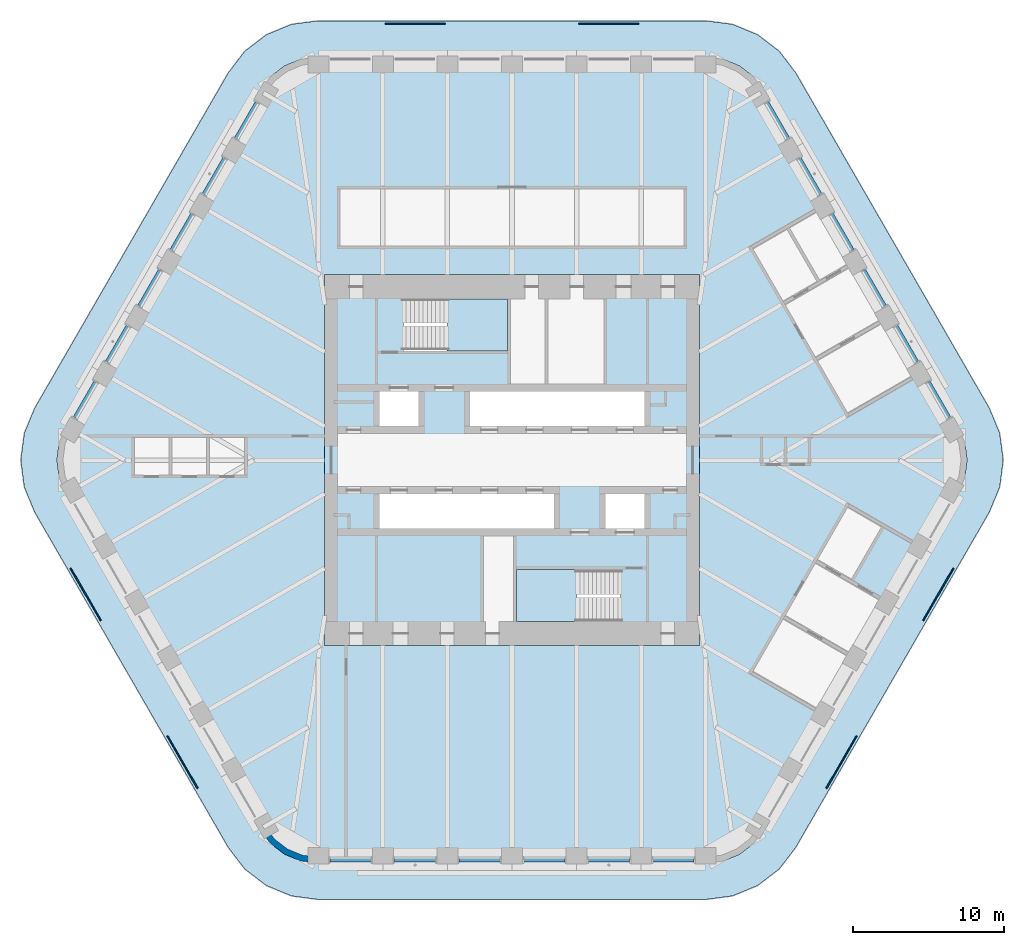
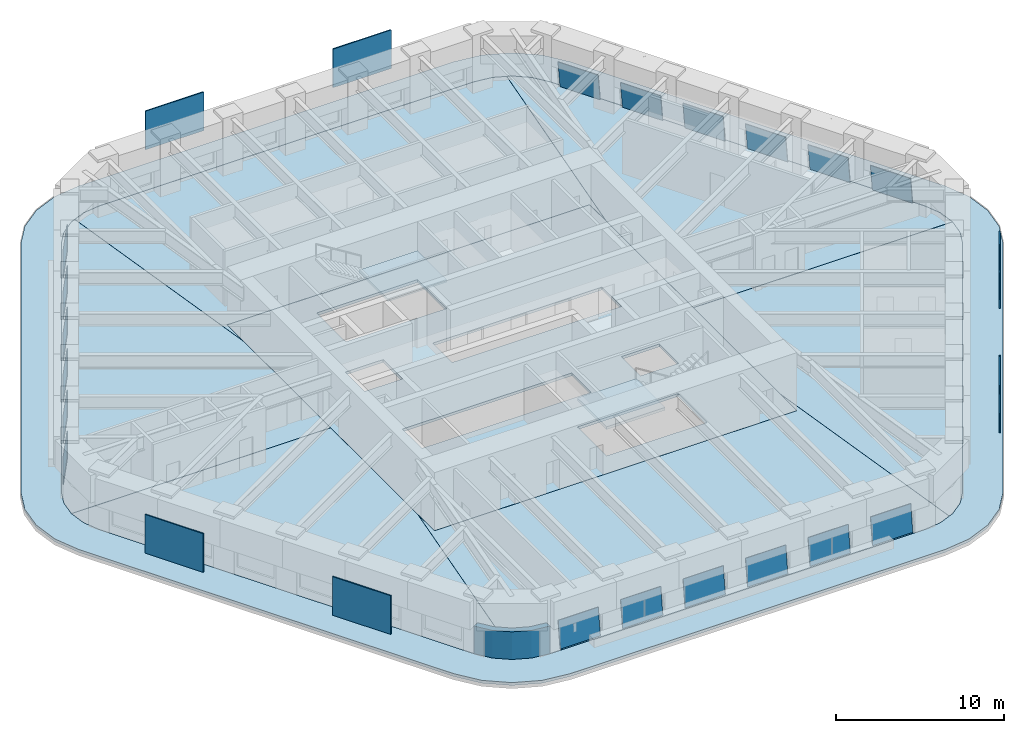
# One storey, part 12 of 18: 24 plates, 10 slabs, 1 wall, 20 elements without a shape of their own.
"""IFC4 building model written with IfcOpenShell, lengths in metres."""

from ifc_helpers import new_model, si_unit, direction, frame, origin, origin_2d, place, context, subcontext, project, spatial, polyline, rectangle, outline, extrude, material, layer, layer_set, type_object, element, aggregate, save


model = new_model("IFC4")

# Units and contexts
model_context = context("Model", 3, precision=1e-05, world=origin(), true_north=direction((0.0, 1.0)))
body_context = subcontext(model_context, "Body", "Model", "MODEL_VIEW")
ifc_project = project(units=[si_unit("LENGTHUNIT", "METRE"), si_unit("AREAUNIT", "SQUARE_METRE"), si_unit("VOLUMEUNIT", "CUBIC_METRE"), si_unit("PLANEANGLEUNIT", "RADIAN"), si_unit("MASSUNIT", "GRAM", prefix="KILO")], contexts=[model_context])

# Site, building, storey
site_placement = place(None, origin())
site = spatial("IfcSite", under=ifc_project, at=site_placement, CompositionType="ELEMENT")
building_placement = place(site_placement, origin())
building = spatial("IfcBuilding", under=site, at=building_placement, Name="Tarfa Lantern Tower", CompositionType="ELEMENT")
storey_placement = place(building_placement, frame((0.0, 0.0, 319.89990234375)))
storey = spatial("IfcBuildingStorey", under=building, at=storey_placement, Name="L72", CompositionType="ELEMENT", Elevation=319.89990234375)

# Slab
ifc_material_1 = material(Name="Concrete C40/50", Category="concrete")
ifc_layer_1 = layer(ifc_material_1, 0.199951171875)
ifc_layer_set_1 = layer_set([ifc_layer_1], Name="BS2 BALCONY SLAB 200")
slab_type_1 = type_object("IfcSlabType", Name="BS2 BALCONY SLAB 200", PredefinedType="FLOOR", material=ifc_layer_set_1)
slab_1_placement = place(storey_placement, frame((0.0, 0.0, -0.199951171875)))
element("IfcSlab", 1, at=slab_1_placement, inside=storey, type_object=slab_type_1, Name="Planted ledge L72", PredefinedType="FLOOR", context=body_context, shape_type="SweptSolid", body=[
    extrude(outline(polyline([(31.667724609375, 3.449951171875), (18.821533203125, 25.699951171875), (17.72509765625, 27.129150390625), (16.296142578125, 28.2255859375), (14.6318359375, 28.914794921875), (12.845947265625, 29.14990234375), (-12.845947265625, 29.14990234375), (-14.6318359375, 28.914794921875), (-16.296142578125, 28.2255859375), (-17.72509765625, 27.129150390625), (-18.821533203125, 25.699951171875), (-31.667724609375, 3.449951171875), (-32.35693359375, 1.785888671875), (-32.592041015625, 0.0), (-32.35693359375, -1.785888671875), (-31.667724609375, -3.449951171875), (-18.821533203125, -25.699951171875), (-17.72509765625, -27.129150390625), (-16.296142578125, -28.2255859375), (-14.6318359375, -28.914794921875), (-12.845947265625, -29.14990234375), (12.845947265625, -29.14990234375), (14.6318359375, -28.914794921875), (16.296142578125, -28.2255859375), (17.72509765625, -27.129150390625), (18.821533203125, -25.699951171875), (31.667724609375, -3.449951171875), (32.35693359375, -1.785888671875), (32.592041015625, 0.0), (32.35693359375, 1.785888671875), (31.667724609375, 3.449951171875)]), holes=[polyline([(29.589111328125, 2.25), (16.7431640625, 24.5), (16.028076171875, 25.431884765625), (15.095947265625, 26.147216796875), (14.0107421875, 26.5966796875), (12.845947265625, 26.75), (-12.845947265625, 26.75), (-14.0107421875, 26.5966796875), (-15.095947265625, 26.147216796875), (-16.028076171875, 25.431884765625), (-16.7431640625, 24.5), (-29.589111328125, 2.25), (-30.038818359375, 1.164794921875), (-30.192138671875, 0.0), (-30.038818359375, -1.164794921875), (-29.589111328125, -2.25), (-16.7431640625, -24.5), (-16.028076171875, -25.431884765625), (-15.095947265625, -26.147216796875), (-14.0107421875, -26.5966796875), (-12.845947265625, -26.75), (12.845947265625, -26.75), (14.0107421875, -26.5966796875), (15.095947265625, -26.147216796875), (16.028076171875, -25.431884765625), (16.7431640625, -24.5), (29.589111328125, -2.25), (30.038818359375, -1.164794921875), (30.192138671875, 0.0), (30.038818359375, 1.164794921875), (29.589111328125, 2.25)])]), origin(), (0.0, 0.0, 1.0), 0.199951171875),
])

# Curtain wall, plate
ifc_material_2 = material(Name="Aluminium framed curtain wall", Category="aluminium")
curtain_wall_type = type_object("IfcCurtainWallType", Name="CW4 CANTED GLAZING EXECUTIVE ZONE 2000", PredefinedType="USERDEFINED", material=ifc_material_2)
curtain_wall_1_placement = place(storey_placement, origin())
curtain_wall_1 = element("IfcCurtainWall", 2, at=curtain_wall_1_placement, inside=storey, type_object=curtain_wall_type, Name="CW4 NE L72", ObjectType="CURTAIN WALL", PredefinedType="USERDEFINED")
ifc_material_3 = material(Name="Laminated double glazing", Category="glass")
ifc_layer_2 = layer(ifc_material_3, 0.028076171875)
ifc_layer_set_2 = layer_set([ifc_layer_2], Name="CWP1 DOUBLE GLAZED PANEL")
plate_type_1 = type_object("IfcPlateType", Name="CWP1 DOUBLE GLAZED PANEL", PredefinedType="CURTAIN_PANEL", material=ifc_layer_set_2)
plate_1_placement = place(storey_placement, frame((29.1201171875, 2.862548828125, 0.0), z_axis=(0.859351744561, 0.496113334939, 0.124040872356), x_axis=(-0.49997487943, 0.866039906662, 2.729665e-06)))
plate_1 = element("IfcPlate", 3, at=plate_1_placement, type_object=plate_type_1, Name="CW4 panel 1.1", PredefinedType="CURTAIN_PANEL", context=body_context, shape_type="SweptSolid", body=[
    extrude(outline(polyline([(0.0, 0.0), (2.7519873020761882, 2.7755575615628914e-17), (2.7520630657669827, 1.950111579792426), (-0.00013567183329332643, 1.9501267213124316), (0.0, 0.0)])), origin(), (0.0, 0.0, -1.0), 0.028076171875),
])
aggregate(curtain_wall_1, [plate_1])

curtain_wall_2_placement = place(storey_placement, origin())
curtain_wall_2 = element("IfcCurtainWall", 4, at=curtain_wall_2_placement, inside=storey, type_object=curtain_wall_type, Name="CW4 NE L72", ObjectType="CURTAIN WALL", PredefinedType="USERDEFINED")
plate_2_placement = place(storey_placement, frame((26.97900390625, 6.57080078125, 0.0), z_axis=(0.859344077517, 0.496134318878, 0.124010056315), x_axis=(-0.499993790352, 0.866028988896, 0.0)))
plate_2 = element("IfcPlate", 5, at=plate_2_placement, type_object=plate_type_1, Name="CW4 panel 1.1", PredefinedType="CURTAIN_PANEL", context=body_context, shape_type="SweptSolid", body=[
    extrude(outline(polyline([(0.0, 0.0), (2.7519873027425428, -2.7755575615628914e-17), (2.7520630651006095, 1.9501115807328344), (7.57623580663197e-05, 1.9501115807328344), (0.0, 0.0)])), origin(), (0.0, 0.0, -1.0), 0.028076171875),
])
aggregate(curtain_wall_2, [plate_2])

curtain_wall_3_placement = place(storey_placement, origin())
curtain_wall_3 = element("IfcCurtainWall", 6, at=curtain_wall_3_placement, inside=storey, type_object=curtain_wall_type, Name="CW4 NE L72", ObjectType="CURTAIN WALL", PredefinedType="USERDEFINED")
plate_3_placement = place(storey_placement, frame((24.838134765625, 10.279296875, 0.0), z_axis=(0.859337405246, 0.496130466704, 0.124071688769), x_axis=(-0.499993790352, 0.866028988896, 0.0)))
plate_3 = element("IfcPlate", 7, at=plate_3_placement, type_object=plate_type_1, Name="CW4 panel 1.1", PredefinedType="CURTAIN_PANEL", context=body_context, shape_type="SweptSolid", body=[
    extrude(outline(polyline([(0.0, 0.0), (2.7519873027425428, 0.0), (2.751851632241992, 1.9501267222528735), (-0.0001356705005509806, 1.9501267222528735), (0.0, 0.0)])), origin(), (0.0, 0.0, -1.0), 0.028076171875),
])
aggregate(curtain_wall_3, [plate_3])

curtain_wall_4_placement = place(storey_placement, origin())
curtain_wall_4 = element("IfcCurtainWall", 8, at=curtain_wall_4_placement, inside=storey, type_object=curtain_wall_type, Name="CW4 NE L72", ObjectType="CURTAIN WALL", PredefinedType="USERDEFINED")
plate_4_placement = place(storey_placement, frame((22.697021484375, 13.987548828125, 0.0), z_axis=(0.859351744561, 0.496113334939, 0.124040872356), x_axis=(-0.49997487943, 0.866039906662, 2.729665e-06)))
plate_4 = element("IfcPlate", 9, at=plate_4_placement, type_object=plate_type_1, Name="CW4 panel 1.1", PredefinedType="CURTAIN_PANEL", context=body_context, shape_type="SweptSolid", body=[
    extrude(outline(polyline([(0.0, 0.0), (2.7519873020761882, 2.7755575615628914e-17), (2.7520630657669827, 1.950111579792426), (-0.00013567183329332643, 1.9501267213124316), (0.0, 0.0)])), origin(), (0.0, 0.0, -1.0), 0.028076171875),
])
aggregate(curtain_wall_4, [plate_4])

curtain_wall_5_placement = place(storey_placement, origin())
curtain_wall_5 = element("IfcCurtainWall", 10, at=curtain_wall_5_placement, inside=storey, type_object=curtain_wall_type, Name="CW4 NE L72", ObjectType="CURTAIN WALL", PredefinedType="USERDEFINED")
plate_5_placement = place(storey_placement, frame((20.55615234375, 17.69580078125, 0.0), z_axis=(0.859344077517, 0.496134318878, 0.124010056315), x_axis=(-0.499993790352, 0.866028988896, 0.0)))
plate_5 = element("IfcPlate", 11, at=plate_5_placement, type_object=plate_type_1, Name="CW4 panel 1.1", PredefinedType="CURTAIN_PANEL", context=body_context, shape_type="SweptSolid", body=[
    extrude(outline(polyline([(0.0, 0.0), (2.7519873027425428, -2.7755575615628914e-17), (2.7520630651006095, 1.9501115807328344), (7.57623580663197e-05, 1.9501115807328344), (0.0, 0.0)])), origin(), (0.0, 0.0, -1.0), 0.028076171875),
])
aggregate(curtain_wall_5, [plate_5])

curtain_wall_6_placement = place(storey_placement, origin())
curtain_wall_6 = element("IfcCurtainWall", 12, at=curtain_wall_6_placement, inside=storey, type_object=curtain_wall_type, Name="CW4 NE L72", ObjectType="CURTAIN WALL", PredefinedType="USERDEFINED")
plate_6_placement = place(storey_placement, frame((18.4150390625, 21.404296875, 0.0), z_axis=(0.859337405246, 0.496130466704, 0.124071688769), x_axis=(-0.499993790352, 0.866028988896, 0.0)))
plate_6 = element("IfcPlate", 13, at=plate_6_placement, type_object=plate_type_1, Name="CW4 panel 1.1", PredefinedType="CURTAIN_PANEL", context=body_context, shape_type="SweptSolid", body=[
    extrude(outline(polyline([(0.0, 0.0), (2.7519873027425428, 0.0), (2.751851632241992, 1.9501267222528735), (-0.0001356705005509806, 1.9501267222528735), (0.0, 0.0)])), origin(), (0.0, 0.0, -1.0), 0.028076171875),
])
aggregate(curtain_wall_6, [plate_6])

curtain_wall_7_placement = place(storey_placement, origin())
curtain_wall_7 = element("IfcCurtainWall", 14, at=curtain_wall_7_placement, inside=storey, type_object=curtain_wall_type, Name="CW4 NW L72", ObjectType="CURTAIN WALL", PredefinedType="USERDEFINED")
plate_7_placement = place(storey_placement, frame((-17.0390625, 23.78759765625, 0.0), z_axis=(-0.859337405246, 0.496130466704, 0.124071688769), x_axis=(-0.499993790352, -0.866028988896, 0.0)))
plate_7 = element("IfcPlate", 15, at=plate_7_placement, type_object=plate_type_1, Name="CW4 panel 1.1", PredefinedType="CURTAIN_PANEL", context=body_context, shape_type="SweptSolid", body=[
    extrude(outline(polyline([(0.0, 0.0), (2.7519873027425428, 0.0), (2.7521229732430936, 1.9501267222528735), (0.0001356705005509806, 1.9501267222528735), (0.0, 0.0)])), origin(), (0.0, 0.0, -1.0), 0.028076171875),
])
aggregate(curtain_wall_7, [plate_7])

curtain_wall_8_placement = place(storey_placement, origin())
curtain_wall_8 = element("IfcCurtainWall", 16, at=curtain_wall_8_placement, inside=storey, type_object=curtain_wall_type, Name="CW4 NW L72", ObjectType="CURTAIN WALL", PredefinedType="USERDEFINED")
plate_8_placement = place(storey_placement, frame((-19.18017578125, 20.0791015625, 0.0), z_axis=(-0.859344077517, 0.496134318878, 0.124010056315), x_axis=(-0.499993790352, -0.866028988896, 0.0)))
plate_8 = element("IfcPlate", 17, at=plate_8_placement, type_object=plate_type_1, Name="CW4 panel 1.1", PredefinedType="CURTAIN_PANEL", context=body_context, shape_type="SweptSolid", body=[
    extrude(outline(polyline([(0.0, 0.0), (2.7519873027425428, 2.7755575615628914e-17), (2.7519115403844765, 1.9501115807328344), (-7.57623580663197e-05, 1.9501115807328344), (0.0, 0.0)])), origin(), (0.0, 0.0, -1.0), 0.028076171875),
])
aggregate(curtain_wall_8, [plate_8])

curtain_wall_9_placement = place(storey_placement, origin())
curtain_wall_9 = element("IfcCurtainWall", 18, at=curtain_wall_9_placement, inside=storey, type_object=curtain_wall_type, Name="CW4 NW L72", ObjectType="CURTAIN WALL", PredefinedType="USERDEFINED")
plate_9_placement = place(storey_placement, frame((-21.321044921875, 16.370849609375, 0.0), z_axis=(-0.859351744561, 0.496113334939, 0.124040872356), x_axis=(-0.49997487943, -0.866039906662, -2.729665e-06)))
plate_9 = element("IfcPlate", 19, at=plate_9_placement, type_object=plate_type_1, Name="CW4 panel 1.1", PredefinedType="CURTAIN_PANEL", context=body_context, shape_type="SweptSolid", body=[
    extrude(outline(polyline([(0.0, 0.0), (2.7519873020761882, -2.7755575615628914e-17), (2.752122973909481, 1.9501267213124316), (-7.576369079412348e-05, 1.950111579792426), (0.0, 0.0)])), origin(), (0.0, 0.0, -1.0), 0.028076171875),
])
aggregate(curtain_wall_9, [plate_9])

curtain_wall_10_placement = place(storey_placement, origin())
curtain_wall_10 = element("IfcCurtainWall", 20, at=curtain_wall_10_placement, inside=storey, type_object=curtain_wall_type, Name="CW4 NW L72", ObjectType="CURTAIN WALL", PredefinedType="USERDEFINED")
plate_10_placement = place(storey_placement, frame((-23.462158203125, 12.66259765625, 0.0), z_axis=(-0.859337405246, 0.496130466704, 0.124071688769), x_axis=(-0.499993790352, -0.866028988896, 0.0)))
plate_10 = element("IfcPlate", 21, at=plate_10_placement, type_object=plate_type_1, Name="CW4 panel 1.1", PredefinedType="CURTAIN_PANEL", context=body_context, shape_type="SweptSolid", body=[
    extrude(outline(polyline([(0.0, 0.0), (2.7519873027425428, 0.0), (2.7521229732430936, 1.9501267222528735), (0.0001356705005509806, 1.9501267222528735), (0.0, 0.0)])), origin(), (0.0, 0.0, -1.0), 0.028076171875),
])
aggregate(curtain_wall_10, [plate_10])

curtain_wall_11_placement = place(storey_placement, origin())
curtain_wall_11 = element("IfcCurtainWall", 22, at=curtain_wall_11_placement, inside=storey, type_object=curtain_wall_type, Name="CW4 NW L72", ObjectType="CURTAIN WALL", PredefinedType="USERDEFINED")
plate_11_placement = place(storey_placement, frame((-25.60302734375, 8.9541015625, 0.0), z_axis=(-0.859344077517, 0.496134318878, 0.124010056315), x_axis=(-0.499993790352, -0.866028988896, 0.0)))
plate_11 = element("IfcPlate", 23, at=plate_11_placement, type_object=plate_type_1, Name="CW4 panel 1.1", PredefinedType="CURTAIN_PANEL", context=body_context, shape_type="SweptSolid", body=[
    extrude(outline(polyline([(0.0, 0.0), (2.7519873027425428, 2.7755575615628914e-17), (2.7519115403844765, 1.9501115807328344), (-7.57623580663197e-05, 1.9501115807328344), (0.0, 0.0)])), origin(), (0.0, 0.0, -1.0), 0.028076171875),
])
aggregate(curtain_wall_11, [plate_11])

curtain_wall_12_placement = place(storey_placement, origin())
curtain_wall_12 = element("IfcCurtainWall", 24, at=curtain_wall_12_placement, inside=storey, type_object=curtain_wall_type, Name="CW4 NW L72", ObjectType="CURTAIN WALL", PredefinedType="USERDEFINED")
plate_12_placement = place(storey_placement, frame((-27.744140625, 5.245849609375, 0.0), z_axis=(-0.859351744561, 0.496113334939, 0.124040872356), x_axis=(-0.49997487943, -0.866039906662, -2.729665e-06)))
plate_12 = element("IfcPlate", 25, at=plate_12_placement, type_object=plate_type_1, Name="CW4 panel 1.1", PredefinedType="CURTAIN_PANEL", context=body_context, shape_type="SweptSolid", body=[
    extrude(outline(polyline([(0.0, 0.0), (2.7519873020761882, -2.7755575615628914e-17), (2.752122973909481, 1.9501267213124316), (-7.576369079412348e-05, 1.950111579792426), (0.0, 0.0)])), origin(), (0.0, 0.0, -1.0), 0.028076171875),
])
aggregate(curtain_wall_12, [plate_12])

curtain_wall_13_placement = place(storey_placement, origin())
curtain_wall_13 = element("IfcCurtainWall", 26, at=curtain_wall_13_placement, inside=storey, type_object=curtain_wall_type, Name="CW4 S L72", ObjectType="CURTAIN WALL", PredefinedType="USERDEFINED")
plate_13_placement = place(storey_placement, frame((-12.0810546875, -26.64990234375, 0.0), z_axis=(0.0, -0.992289428797, 0.123942282931), x_axis=(1.0, 0.0, 0.0)))
plate_13 = element("IfcPlate", 27, at=plate_13_placement, type_object=plate_type_1, Name="CW4 panel 1.1", PredefinedType="CURTAIN_PANEL", context=body_context, shape_type="SweptSolid", body=[
    extrude(outline(polyline([(0.0, 0.0), (2.751953125, 0.0), (2.751953125, 1.9500949396350138), (0.0, 1.9500949396350138), (0.0, 0.0)])), origin(), (0.0, 0.0, -1.0), 0.028076171875),
])
aggregate(curtain_wall_13, [plate_13])

curtain_wall_14_placement = place(storey_placement, origin())
curtain_wall_14 = element("IfcCurtainWall", 28, at=curtain_wall_14_placement, inside=storey, type_object=curtain_wall_type, Name="CW4 S L72", ObjectType="CURTAIN WALL", PredefinedType="USERDEFINED")
plate_14_placement = place(storey_placement, frame((-7.799072265625, -26.64990234375, 0.0), z_axis=(0.0, -0.992289428797, 0.123942282931), x_axis=(1.0, 0.0, 0.0)))
plate_14 = element("IfcPlate", 29, at=plate_14_placement, type_object=plate_type_1, Name="CW4 panel 1.1", PredefinedType="CURTAIN_PANEL", context=body_context, shape_type="SweptSolid", body=[
    extrude(outline(polyline([(0.0, 0.0), (2.751953125, 0.0), (2.751953125, 1.9500949396350138), (0.0, 1.9500949396350138), (0.0, 0.0)])), origin(), (0.0, 0.0, -1.0), 0.028076171875),
])
aggregate(curtain_wall_14, [plate_14])

curtain_wall_15_placement = place(storey_placement, origin())
curtain_wall_15 = element("IfcCurtainWall", 30, at=curtain_wall_15_placement, inside=storey, type_object=curtain_wall_type, Name="CW4 S L72", ObjectType="CURTAIN WALL", PredefinedType="USERDEFINED")
plate_15_placement = place(storey_placement, frame((-3.51708984375, -26.64990234375, 0.0), z_axis=(0.0, -0.992289428797, 0.123942282931), x_axis=(1.0, 0.0, 0.0)))
plate_15 = element("IfcPlate", 31, at=plate_15_placement, type_object=plate_type_1, Name="CW4 panel 1.1", PredefinedType="CURTAIN_PANEL", context=body_context, shape_type="SweptSolid", body=[
    extrude(outline(polyline([(0.0, 0.0), (2.752197265625, 0.0), (2.752197265625, 1.9500949396350138), (0.0, 1.9500949396350138), (0.0, 0.0)])), origin(), (0.0, 0.0, -1.0), 0.028076171875),
])
aggregate(curtain_wall_15, [plate_15])

curtain_wall_16_placement = place(storey_placement, origin())
curtain_wall_16 = element("IfcCurtainWall", 32, at=curtain_wall_16_placement, inside=storey, type_object=curtain_wall_type, Name="CW4 S L72", ObjectType="CURTAIN WALL", PredefinedType="USERDEFINED")
plate_16_placement = place(storey_placement, frame((0.764892578125, -26.64990234375, 0.0), z_axis=(0.0, -0.992289428797, 0.123942282931), x_axis=(1.0, 0.0, 0.0)))
plate_16 = element("IfcPlate", 33, at=plate_16_placement, type_object=plate_type_1, Name="CW4 panel 1.1", PredefinedType="CURTAIN_PANEL", context=body_context, shape_type="SweptSolid", body=[
    extrude(outline(polyline([(0.0, 0.0), (2.752197265625, 0.0), (2.752197265625, 1.9500949396350138), (0.0, 1.9500949396350138), (0.0, 0.0)])), origin(), (0.0, 0.0, -1.0), 0.028076171875),
])
aggregate(curtain_wall_16, [plate_16])

curtain_wall_17_placement = place(storey_placement, origin())
curtain_wall_17 = element("IfcCurtainWall", 34, at=curtain_wall_17_placement, inside=storey, type_object=curtain_wall_type, Name="CW4 S L72", ObjectType="CURTAIN WALL", PredefinedType="USERDEFINED")
plate_17_placement = place(storey_placement, frame((5.047119140625, -26.64990234375, 0.0), z_axis=(0.0, -0.992289428797, 0.123942282931), x_axis=(1.0, 0.0, 0.0)))
plate_17 = element("IfcPlate", 35, at=plate_17_placement, type_object=plate_type_1, Name="CW4 panel 1.1", PredefinedType="CURTAIN_PANEL", context=body_context, shape_type="SweptSolid", body=[
    extrude(outline(polyline([(0.0, 0.0), (2.751953125, 0.0), (2.751953125, 1.9500949396350138), (0.0, 1.9500949396350138), (0.0, 0.0)])), origin(), (0.0, 0.0, -1.0), 0.028076171875),
])
aggregate(curtain_wall_17, [plate_17])

curtain_wall_18_placement = place(storey_placement, origin())
curtain_wall_18 = element("IfcCurtainWall", 36, at=curtain_wall_18_placement, inside=storey, type_object=curtain_wall_type, Name="CW4 S L72", ObjectType="CURTAIN WALL", PredefinedType="USERDEFINED")
plate_18_placement = place(storey_placement, frame((9.3291015625, -26.64990234375, 0.0), z_axis=(0.0, -0.992289428797, 0.123942282931), x_axis=(1.0, 0.0, 0.0)))
plate_18 = element("IfcPlate", 37, at=plate_18_placement, type_object=plate_type_1, Name="CW4 panel 1.1", PredefinedType="CURTAIN_PANEL", context=body_context, shape_type="SweptSolid", body=[
    extrude(outline(polyline([(0.0, 0.0), (2.751953125, 0.0), (2.751953125, 1.9500949396350138), (0.0, 1.9500949396350138), (0.0, 0.0)])), origin(), (0.0, 0.0, -1.0), 0.028076171875),
])
aggregate(curtain_wall_18, [plate_18])

# Slabs
ifc_layer_3 = layer(ifc_material_1, 0.199951171875)
ifc_layer_set_3 = layer_set([ifc_layer_3], Name="FS1 FLOOR SLAB 200")
slab_type_2 = type_object("IfcSlabType", Name="FS1 FLOOR SLAB 200", PredefinedType="FLOOR", material=ifc_layer_set_3)
slab_2_placement = place(storey_placement, frame((0.0, 0.0, -0.199951171875)))
element("IfcSlab", 38, at=slab_2_placement, inside=storey, type_object=slab_type_2, Name="Floor slab L72", PredefinedType="FLOOR", context=body_context, shape_type="SweptSolid", body=[
    extrude(outline(polyline([(-12.425048828125, -12.300048828125), (12.425048828125, -12.300048828125), (12.425048828125, 12.300048828125), (-12.425048828125, 12.300048828125), (-12.425048828125, -12.300048828125)]), holes=[polyline([(-8.800048828125, 2.25), (-6.199951171875, 2.25), (-6.199951171875, 4.550048828125), (-8.800048828125, 4.550048828125), (-8.800048828125, 2.25)]), polyline([(-2.800048828125, 2.25), (8.800048828125, 2.25), (8.800048828125, 4.550048828125), (-2.800048828125, 4.550048828125), (-2.800048828125, 2.25)]), polyline([(8.800048828125, -2.25), (6.199951171875, -2.25), (6.199951171875, -4.550048828125), (8.800048828125, -4.550048828125), (8.800048828125, -2.25)]), polyline([(2.800048828125, -2.25), (-8.800048828125, -2.25), (-8.800048828125, -4.550048828125), (2.800048828125, -4.550048828125), (2.800048828125, -2.25)]), polyline([(-7.199951171875, 7.25), (-0.300048828125, 7.25), (-0.300048828125, 10.699951171875), (-7.199951171875, 10.699951171875), (-7.199951171875, 7.25)]), polyline([(7.199951171875, -7.25), (0.300048828125, -7.25), (0.300048828125, -10.699951171875), (7.199951171875, -10.699951171875), (7.199951171875, -7.25)])]), origin(), (0.0, 0.0, 1.0), 0.199951171875),
])
slab_3_placement = place(storey_placement, frame((0.0, 0.0, -0.199951171875)))
element("IfcSlab", 39, at=slab_3_placement, inside=storey, type_object=slab_type_2, Name="Floor slab L72 NE bay", PredefinedType="FLOOR", context=body_context, shape_type="SweptSolid", body=[
    extrude(outline(polyline([(29.58740234375, 2.2490234375), (16.741455078125, 24.498779296875), (16.026611328125, 25.4306640625), (15.094970703125, 26.145263671875), (14.802001953125, 26.2666015625), (12.427001953125, 10.2998046875), (12.427001953125, 0.001953125), (30.189697265625, 0.001953125), (30.036865234375, 1.1640625), (29.58740234375, 2.2490234375)])), origin(), (0.0, 0.0, 1.0), 0.199951171875),
])
slab_4_placement = place(storey_placement, frame((0.0, 0.0, -0.199951171875)))
element("IfcSlab", 40, at=slab_4_placement, inside=storey, type_object=slab_type_2, Name="Floor slab L72 N bay", PredefinedType="FLOOR", context=body_context, shape_type="SweptSolid", body=[
    extrude(outline(polyline([(-12.427001953125, 10.3271484375), (-12.427001953125, 12.302001953125), (12.427001953125, 12.302001953125), (12.427001953125, 10.3271484375), (14.79833984375, 26.268310546875), (14.01025390625, 26.5947265625), (12.845947265625, 26.748046875), (-12.845947265625, 26.748046875), (-14.01025390625, 26.5947265625), (-14.79833984375, 26.268310546875), (-12.427001953125, 10.3271484375)])), origin(), (0.0, 0.0, 1.0), 0.199951171875),
])
slab_5_placement = place(storey_placement, frame((0.0, 0.0, -0.199951171875)))
element("IfcSlab", 41, at=slab_5_placement, inside=storey, type_object=slab_type_2, Name="Floor slab L72 NW bay", PredefinedType="FLOOR", context=body_context, shape_type="SweptSolid", body=[
    extrude(outline(polyline([(-12.427001953125, 0.001953125), (-12.427001953125, 10.2998046875), (-14.802001953125, 26.2666015625), (-15.094970703125, 26.145263671875), (-16.026611328125, 25.4306640625), (-16.741455078125, 24.498779296875), (-29.58740234375, 2.2490234375), (-30.036865234375, 1.1640625), (-30.189697265625, 0.001953125), (-12.427001953125, 0.001953125)])), origin(), (0.0, 0.0, 1.0), 0.199951171875),
])
slab_6_placement = place(storey_placement, frame((0.0, 0.0, -0.199951171875)))
element("IfcSlab", 42, at=slab_6_placement, inside=storey, type_object=slab_type_2, Name="Floor slab L72 SW bay", PredefinedType="FLOOR", context=body_context, shape_type="SweptSolid", body=[
    extrude(outline(polyline([(-12.427001953125, -10.2998046875), (-12.427001953125, -0.001953125), (-30.189697265625, -0.001953125), (-30.036865234375, -1.1640625), (-29.58740234375, -2.2490234375), (-16.741455078125, -24.498779296875), (-16.026611328125, -25.4306640625), (-15.094970703125, -26.145263671875), (-14.802001953125, -26.2666015625), (-12.427001953125, -10.2998046875)])), origin(), (0.0, 0.0, 1.0), 0.199951171875),
])
slab_7_placement = place(storey_placement, frame((0.0, 0.0, -0.199951171875)))
element("IfcSlab", 43, at=slab_7_placement, inside=storey, type_object=slab_type_2, Name="Floor slab L72 S bay", PredefinedType="FLOOR", context=body_context, shape_type="SweptSolid", body=[
    extrude(outline(polyline([(12.427001953125, -10.3271484375), (12.427001953125, -12.302001953125), (-12.427001953125, -12.302001953125), (-12.427001953125, -10.3271484375), (-14.79833984375, -26.268310546875), (-14.01025390625, -26.5947265625), (-12.845947265625, -26.748046875), (12.845947265625, -26.748046875), (14.01025390625, -26.5947265625), (14.79833984375, -26.268310546875), (12.427001953125, -10.3271484375)])), origin(), (0.0, 0.0, 1.0), 0.199951171875),
])
slab_8_placement = place(storey_placement, frame((0.0, 0.0, -0.199951171875)))
element("IfcSlab", 44, at=slab_8_placement, inside=storey, type_object=slab_type_2, Name="Floor slab L72 SE bay", PredefinedType="FLOOR", context=body_context, shape_type="SweptSolid", body=[
    extrude(outline(polyline([(12.427001953125, -0.001953125), (12.427001953125, -10.2998046875), (14.802001953125, -26.2666015625), (15.094970703125, -26.145263671875), (16.026611328125, -25.4306640625), (16.741455078125, -24.498779296875), (29.58740234375, -2.2490234375), (30.036865234375, -1.1640625), (30.189697265625, -0.001953125), (12.427001953125, -0.001953125)])), origin(), (0.0, 0.0, 1.0), 0.199951171875),
])

# Plates
ifc_material_4 = material(Name="Perforated limestone screen", Category="masonry")
ifc_layer_4 = layer(ifc_material_4, 0.080078125)
ifc_layer_set_4 = layer_set([ifc_layer_4], Name="SC1 STONE SCREEN 80")
plate_type_2 = type_object("IfcPlateType", Name="SC1 STONE SCREEN 80", PredefinedType="USERDEFINED", material=ifc_layer_set_4)
for number, where, z_axis, x_axis, name in (
    (45, (6.423095703125, 28.949951171875, 1.2001953125), (0.0, 0.0, 1.0), (-1.0, 0.0, 0.0), "Stone screen N 1"),
    (46, (-6.423095703125, 28.949951171875, 1.2001953125), (0.0, 0.0, 1.0), (-1.0, 0.0, 0.0), "Stone screen N 2"),
    (47, (-28.282958984375, -8.91259765625, 1.2001953125), (0.0, 0.0, 1.0), (0.5, -0.866025403784, 0.0), "Stone screen SW 1"),
    (48, (-21.85986328125, -20.03759765625, 1.2001953125), (0.0, 0.0, 1.0), (0.5, -0.866025403784, 0.0), "Stone screen SW 2"),
    (49, (21.85986328125, -20.03759765625, 1.2001953125), (0.0, 0.0, 1.0), (0.5, 0.866025403784, 0.0), "Stone screen SE 1"),
    (50, (28.282958984375, -8.91259765625, 1.2001953125), (0.0, 0.0, 1.0), (0.5, 0.866025403784, 0.0), "Stone screen SE 2"),
):
    element("IfcPlate", number, at=place(storey_placement, frame(where, z_axis=z_axis, x_axis=x_axis)), inside=storey, type_object=plate_type_2, Name=name, ObjectType="SCREEN", PredefinedType="USERDEFINED", context=body_context, shape_type="SweptSolid", body=[
        extrude(rectangle(XDim=4.0, YDim=0.080078125, at=origin_2d()), origin(), (0.0, 0.0, 1.0), 2.800048828125),
    ])

# Stair, slab
stair_type = type_object("IfcStairType", Name="ST-T10 HALF-TURN STAIR 4200 RISE", PredefinedType="HALF_TURN_STAIR", material=ifc_material_1)
stair_1_placement = place(storey_placement, origin())
stair_1 = element("IfcStair", 51, at=stair_1_placement, inside=storey, type_object=stair_type, Name="Stair ST1", PredefinedType="HALF_TURN_STAIR")
ifc_layer_5 = layer(ifc_material_1, 0.199951171875)
ifc_layer_set_5 = layer_set([ifc_layer_5], Name="SL1 STAIR LANDING 200")
slab_type_3 = type_object("IfcSlabType", Name="SL1 STAIR LANDING 200", PredefinedType="LANDING", material=ifc_layer_set_5)
slab_9_placement = place(storey_placement, frame((0.0, 0.0, 1.900146484375)))
slab_9 = element("IfcSlab", 52, at=slab_9_placement, type_object=slab_type_3, Name="ST1 landing 1", PredefinedType="LANDING", context=body_context, shape_type="SweptSolid", body=[
    extrude(outline(polyline([(-4.320068359375, 7.25), (-0.300048828125, 7.25), (-0.300048828125, 10.699951171875), (-4.320068359375, 10.699951171875), (-4.320068359375, 7.25)])), origin(), (0.0, 0.0, 1.0), 0.199951171875),
])
aggregate(stair_1, [slab_9])

stair_2_placement = place(storey_placement, origin())
stair_2 = element("IfcStair", 53, at=stair_2_placement, inside=storey, type_object=stair_type, Name="Stair ST2", PredefinedType="HALF_TURN_STAIR")
slab_10_placement = place(storey_placement, frame((0.0, 0.0, 1.900146484375)))
slab_10 = element("IfcSlab", 54, at=slab_10_placement, type_object=slab_type_3, Name="ST2 landing 1", PredefinedType="LANDING", context=body_context, shape_type="SweptSolid", body=[
    extrude(outline(polyline([(4.320068359375, -7.25), (0.300048828125, -7.25), (0.300048828125, -10.699951171875), (4.320068359375, -10.699951171875), (4.320068359375, -7.25)])), origin(), (0.0, 0.0, 1.0), 0.199951171875),
])
aggregate(stair_2, [slab_10])

# Wall
ifc_material_5 = material(Name="Limestone cladding on blockwork", Category="masonry")
ifc_layer_6 = layer(ifc_material_5, 0.39990234375)
ifc_layer_set_6 = layer_set([ifc_layer_6], Name="EW2 CURVED STONE CORNER 400")
wall_type = type_object("IfcWallType", Name="EW2 CURVED STONE CORNER 400", PredefinedType="SOLIDWALL", material=ifc_layer_set_6)
wall_placement = place(storey_placement, origin())
element("IfcWall", 55, at=wall_placement, inside=storey, type_object=wall_type, Name="Stone corner SW-S", PredefinedType="SOLIDWALL", context=body_context, shape_type="SweptSolid", body=[
    extrude(outline(polyline([(-16.7431640625, -24.5), (-16.028076171875, -25.431884765625), (-15.095947265625, -26.147216796875), (-14.0107421875, -26.5966796875), (-12.845947265625, -26.75), (-12.845947265625, -26.35009765625), (-13.9072265625, -26.210205078125), (-14.89599609375, -25.80078125), (-15.7451171875, -25.149169921875), (-16.396728515625, -24.300048828125), (-16.7431640625, -24.5)])), origin(), (0.0, 0.0, 1.0), 2.0),
])

save(model, "model.ifc")
